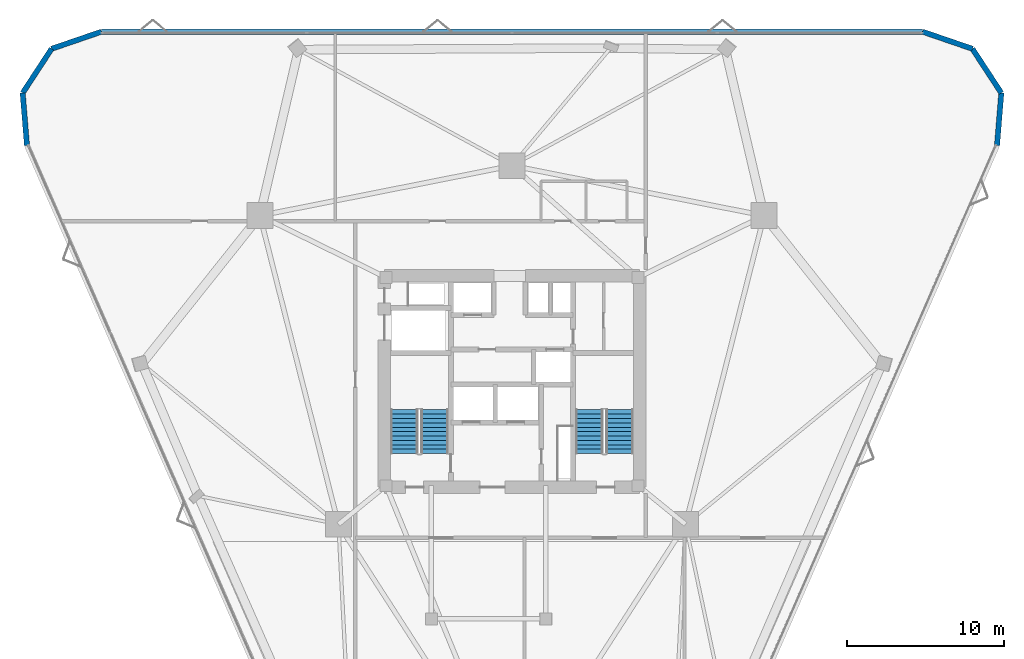
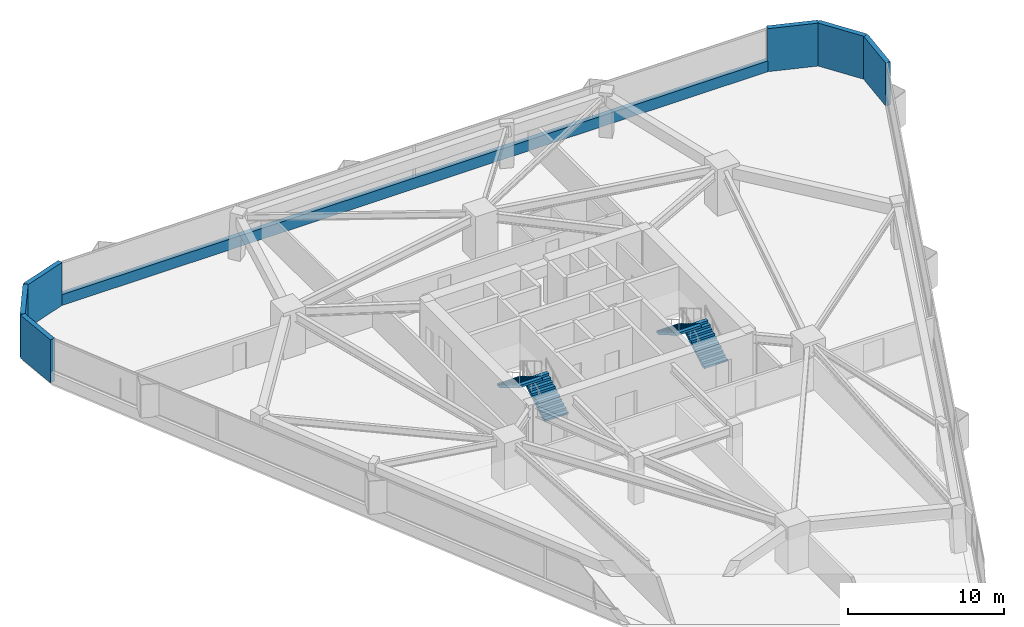
# One storey, part 16 of 18: 7 walls, 4 stair flights, 2 elements without a shape of their own.
"""IFC4 building model written with IfcOpenShell, lengths in metres."""

import ifcopenshell
import ifcopenshell.guid

model = None  # the IFC model being written
_history = None  # IfcOwnerHistory: only IFC2X3 demands one
_inside = {}  # id of a spatial element -> (the spatial element, [elements in it])
_under = {}  # id of a project, library or spatial element -> (it, [spatial elements below it])
_declared = {}  # id of a project -> (the project, [libraries it declares])
_typed = {}  # id of a type object -> (the type object, [elements of that type])
_made_of = {}  # id of a material, layer set ... -> (it, [elements and type objects made of it])


def new_model(schema):
    """Start an empty IFC model of exactly this schema.

    Asked for "IFC4X3", IfcOpenShell would pick the latest addendum, in which some entities
    have other attributes; the version numbers below select the first issue.
    IFC2X3 requires an IfcOwnerHistory on every rooted entity: one is made here for all.
    """
    global model, _history
    if schema == "IFC4X3":
        model = ifcopenshell.file(schema_version=(4, 3, 0, 0))
    else:
        model = ifcopenshell.file(schema=schema)
    _inside.clear()
    _under.clear()
    _declared.clear()
    _typed.clear()
    _made_of.clear()
    _history = None
    if model.schema == "IFC2X3":
        org = make("IfcOrganization", Name="unknown")
        user = make(
            "IfcPersonAndOrganization",
            ThePerson=make("IfcPerson", FamilyName="unknown"),
            TheOrganization=org,
        )
        app = make(
            "IfcApplication",
            ApplicationDeveloper=org,
            Version="unknown",
            ApplicationFullName="unknown",
            ApplicationIdentifier="unknown",
        )
        _history = make(
            "IfcOwnerHistory",
            OwningUser=user,
            OwningApplication=app,
            ChangeAction="ADDED",
            CreationDate=0,
        )
    return model


def make(cls, **values):
    """One entity of the class cls with the attributes given. An attribute that is None is left unset."""
    return model.create_entity(
        cls, **{name: value for name, value in values.items() if value is not None}
    )


def rooted(cls, **values):
    """An entity with a GlobalId (a new one), such as an element, a storey or a relation."""
    return make(cls, GlobalId=ifcopenshell.guid.new(), OwnerHistory=_history, **values)


def si_unit(unit_type, name, prefix=None):
    """IfcSIUnit, for example si_unit("LENGTHUNIT", "METRE", prefix="MILLI")."""
    return make("IfcSIUnit", UnitType=unit_type, Prefix=prefix, Name=name)


def assignment(units):
    """IfcUnitAssignment: the units of a project."""
    return None if units is None else make("IfcUnitAssignment", Units=units)


def point(xyz):
    """IfcCartesianPoint."""
    return None if xyz is None else make("IfcCartesianPoint", Coordinates=xyz)


def direction(xyz):
    """IfcDirection."""
    return None if xyz is None else make("IfcDirection", DirectionRatios=xyz)


def frame(location, z_axis=None, x_axis=None):
    """IfcAxis2Placement3D, a coordinate frame: its origin and axes. An axis left out is left unset."""
    return make(
        "IfcAxis2Placement3D",
        Location=point(location),
        Axis=direction(z_axis),
        RefDirection=direction(x_axis),
    )


def frame_2d(location, x_axis=None):
    """IfcAxis2Placement2D, a coordinate frame in the plane: its origin and x axis."""
    return make(
        "IfcAxis2Placement2D", Location=point(location), RefDirection=direction(x_axis)
    )


def origin():
    """The frame at (0, 0, 0) with its axes left unset."""
    return frame((0.0, 0.0, 0.0))


def place(relative_to, where):
    """IfcLocalPlacement: puts the frame where relative to a parent placement (None: the world)."""
    return make(
        "IfcLocalPlacement", PlacementRelTo=relative_to, RelativePlacement=where
    )


def context(
    kind, dimensions, precision=None, world=None, true_north=None, identifier=None
):
    """IfcGeometricRepresentationContext, for example the 3D "Model" context."""
    return make(
        "IfcGeometricRepresentationContext",
        ContextIdentifier=identifier,
        ContextType=kind,
        CoordinateSpaceDimension=dimensions,
        Precision=precision,
        WorldCoordinateSystem=world,
        TrueNorth=true_north,
    )


def subcontext(parent, identifier, kind, view, scale=None):
    """IfcGeometricRepresentationSubContext, for example "Body" below "Model"."""
    return make(
        "IfcGeometricRepresentationSubContext",
        ContextIdentifier=identifier,
        ContextType=kind,
        ParentContext=parent,
        TargetScale=scale,
        TargetView=view,
    )


def project(units=None, contexts=None):
    """IfcProject with its units and contexts."""
    return rooted(
        "IfcProject",
        Name="project",
        RepresentationContexts=contexts,
        UnitsInContext=assignment(units),
    )


def spatial(cls, under=None, at=None, **own):
    """A site, building, storey or space (cls), placed at a placement, below another one or the project."""
    s = rooted(cls, ObjectPlacement=at, **own)
    if under is not None:
        _under.setdefault(under.id(), (under, []))[1].append(s)
    return s


def polyline(points):
    """IfcPolyline through the points."""
    return make("IfcPolyline", Points=[point(p) for p in points])


def profile(cls, at=None, kind="AREA", **sizes):
    """A parametric profile (cls). Its sizes go by their IFC names, for example OverallWidth=200.0."""
    return make(cls, ProfileType=kind, Position=at, **sizes)


def rectangle(**sizes):
    """IfcRectangleProfileDef."""
    return profile("IfcRectangleProfileDef", **sizes)


def outline(outer, holes=None, kind="AREA"):
    """IfcArbitraryClosedProfileDef: a profile drawn as a closed curve; with holes, ...WithVoids."""
    if holes is None:
        return make("IfcArbitraryClosedProfileDef", ProfileType=kind, OuterCurve=outer)
    return make(
        "IfcArbitraryProfileDefWithVoids",
        ProfileType=kind,
        OuterCurve=outer,
        InnerCurves=holes,
    )


def extrude(swept, where, along, depth):
    """IfcExtrudedAreaSolid: the profile swept, set in the frame where, extruded along a direction by depth."""
    return make(
        "IfcExtrudedAreaSolid",
        SweptArea=swept,
        Position=where,
        ExtrudedDirection=direction(along),
        Depth=depth,
    )


def shape(context_of_items, identifier, shape_type, items):
    """IfcShapeRepresentation: the items that make up one representation, for example the "Body"."""
    return make(
        "IfcShapeRepresentation",
        ContextOfItems=context_of_items,
        RepresentationIdentifier=identifier,
        RepresentationType=shape_type,
        Items=items,
    )


def material(Name=None, Category=None):
    """IfcMaterial."""
    return make("IfcMaterial", Name=Name, Category=Category)


def layer(
    of_material, thickness, ventilated=None, Name=None, Category=None, Priority=None
):
    """IfcMaterialLayer: one layer of a wall or slab, of a material (None: an air gap)."""
    return make(
        "IfcMaterialLayer",
        Material=of_material,
        LayerThickness=thickness,
        IsVentilated=ventilated,
        Name=Name,
        Category=Category,
        Priority=Priority,
    )


def layer_set(layers, Name=None):
    """IfcMaterialLayerSet."""
    return make("IfcMaterialLayerSet", MaterialLayers=layers, LayerSetName=Name)


def made_of(thing, what):
    """Note that an element or type object is made of a material, layer set ...; save() writes the relation."""
    if what is not None:
        _made_of.setdefault(what.id(), (what, []))[1].append(thing)
    return thing


def type_object(cls, material=None, **own):
    """A type object (cls), such as IfcWallType, which elements share."""
    return made_of(rooted(cls, **own), material)


def element(
    cls,
    number,
    at=None,
    inside=None,
    cuts=None,
    type_object=None,
    material=None,
    context=None,
    identifier="Body",
    shape_type=None,
    held_by="IfcProductDefinitionShape",
    body=None,
    shapes=None,
    **own,
):
    """One element of the class cls, such as IfcWall. Its Tag is "e" and its number.

    at: its placement. inside: the storey or other place that contains it. cuts: it is an
    opening in that element (IfcRelVoidsElement). A single representation is given by context,
    identifier, shape_type and body (its items); several are given by shapes. held_by: the class
    of the entity that holds the representations. save() writes the other relations.
    """
    e = rooted(cls, Tag="e%d" % number, ObjectPlacement=at, **own)
    if body is not None:
        shapes = [shape(context, identifier, shape_type, body)]
    if shapes is not None:
        e.Representation = make(held_by, Representations=shapes)
    if inside is not None:
        _inside.setdefault(inside.id(), (inside, []))[1].append(e)
    if cuts is not None:
        rooted(
            "IfcRelVoidsElement", RelatingBuildingElement=cuts, RelatedOpeningElement=e
        )
    if type_object is not None:
        _typed.setdefault(type_object.id(), (type_object, []))[1].append(e)
    return made_of(e, material)


def aggregate(whole, parts):
    """IfcRelAggregates: a whole, such as a stair, and the parts it consists of."""
    return rooted("IfcRelAggregates", RelatingObject=whole, RelatedObjects=parts)


def save(model, path):
    """Write the relations noted so far, then the file.

    IfcRelAggregates (storeys below a building ...), IfcRelContainedInSpatialStructure (elements
    in a storey), IfcRelDefinesByType, IfcRelAssociatesMaterial and IfcRelDeclares: one each for
    every whole, place, type object, material and project.
    """
    for whole, parts in _under.values():
        aggregate(whole, parts)
    for where, things in _inside.values():
        rooted(
            "IfcRelContainedInSpatialStructure",
            RelatedElements=things,
            RelatingStructure=where,
        )
    for kind, things in _typed.values():
        rooted("IfcRelDefinesByType", RelatedObjects=things, RelatingType=kind)
    for what, things in _made_of.values():
        rooted("IfcRelAssociatesMaterial", RelatedObjects=things, RelatingMaterial=what)
    for by, libraries in _declared.values():
        rooted("IfcRelDeclares", RelatingContext=by, RelatedDefinitions=libraries)
    model.write(path)


model = new_model("IFC4")

# Units and contexts
model_context = context("Model", 3, precision=1e-05, world=origin(), true_north=direction((0.0, 1.0)))
body_context = subcontext(model_context, "Body", "Model", "MODEL_VIEW")
ifc_project = project(units=[si_unit("LENGTHUNIT", "METRE"), si_unit("AREAUNIT", "SQUARE_METRE"), si_unit("VOLUMEUNIT", "CUBIC_METRE"), si_unit("PLANEANGLEUNIT", "RADIAN"), si_unit("MASSUNIT", "GRAM", prefix="KILO")], contexts=[model_context])

# Site, building, storey
site_placement = place(None, origin())
site = spatial("IfcSite", under=ifc_project, at=site_placement, CompositionType="ELEMENT")
building_placement = place(site_placement, origin())
building = spatial("IfcBuilding", under=site, at=building_placement, Name="Talyreon Biosciences Tower", CompositionType="ELEMENT")
storey_placement = place(building_placement, frame((0.0, 0.0, 89.60009765625)))
storey = spatial("IfcBuildingStorey", under=building, at=storey_placement, Name="L23", CompositionType="ELEMENT", Elevation=89.60009765625)

# Walls
ifc_material_1 = material(Name="Precast concrete C45/55", Category="concrete")
ifc_layer = layer(ifc_material_1, 0.340087890625)
ifc_layer_set = layer_set([ifc_layer], Name="Precast concrete C45/55")
wall_type = type_object("IfcWallType", Name="PrecastConcreteSpandrelWall_340", PredefinedType="STANDARD", material=ifc_layer_set)
wall_1_placement = place(storey_placement, frame((35.01611328125, 83.070556640625, 0.0), z_axis=(0.0, 0.0, 1.0), x_axis=(-0.08153066917, 0.996670833317, 0.0)))
element("IfcWall", 1, at=wall_1_placement, inside=storey, type_object=wall_type, Name="L23 Rounded-Corner Concrete Pier 01", PredefinedType="STANDARD", context=body_context, shape_type="SweptSolid", body=[
    extrude(rectangle(XDim=3.374755859375, YDim=0.340087890625, at=frame_2d((1.6875, 0.0))), origin(), (0.0, 0.0, 1.0), 3.375),
])
wall_2_placement = place(storey_placement, frame((34.740966796875, 86.43408203125, 0.0), z_axis=(0.0, 0.0, 1.0), x_axis=(0.547467638162, 0.83682685495, 0.0)))
element("IfcWall", 2, at=wall_2_placement, inside=storey, type_object=wall_type, Name="L23 Rounded-Corner Concrete Pier 02", PredefinedType="STANDARD", context=body_context, shape_type="SweptSolid", body=[
    extrude(rectangle(XDim=3.375, YDim=0.340087890625, at=frame_2d((1.6875, 0.0))), origin(), (0.0, 0.0, 1.0), 3.375),
])
wall_3_placement = place(storey_placement, frame((36.588623046875, 89.25830078125, 0.0), z_axis=(0.0, 0.0, 1.0), x_axis=(0.945876171039, 0.324527763157, 0.0)))
element("IfcWall", 3, at=wall_3_placement, inside=storey, type_object=wall_type, Name="L23 Rounded-Corner Concrete Pier 03", PredefinedType="STANDARD", context=body_context, shape_type="SweptSolid", body=[
    extrude(rectangle(XDim=3.374755859375, YDim=0.340087890625, at=frame_2d((1.6875, 0.0))), origin(), (0.0, 0.0, 1.0), 3.375),
])
wall_4_placement = place(storey_placement, frame((39.78076171875, 90.353515625, 0.0), z_axis=(0.0, 0.0, 1.0), x_axis=(1.0, 0.0, 0.0)))
element("IfcWall", 4, at=wall_4_placement, inside=storey, type_object=wall_type, Name="L23 Expressed Concrete Sill Wall 04", PredefinedType="STANDARD", context=body_context, shape_type="SweptSolid", body=[
    extrude(rectangle(XDim=52.4384765625, YDim=0.340087890625, at=frame_2d((26.21923828125, 0.0))), origin(), (0.0, 0.0, 1.0), 0.849853515625),
])
wall_5_placement = place(storey_placement, frame((92.21923828125, 90.353515625, 0.0), z_axis=(0.0, 0.0, 1.0), x_axis=(0.945876171039, -0.324527763157, 0.0)))
element("IfcWall", 5, at=wall_5_placement, inside=storey, type_object=wall_type, Name="L23 Rounded-Corner Concrete Pier 05", PredefinedType="STANDARD", context=body_context, shape_type="SweptSolid", body=[
    extrude(rectangle(XDim=3.374755859375, YDim=0.340087890625, at=frame_2d((1.6875, 0.0))), origin(), (0.0, 0.0, 1.0), 3.375),
])
wall_6_placement = place(storey_placement, frame((95.411376953125, 89.25830078125, 0.0), z_axis=(0.0, 0.0, 1.0), x_axis=(0.547467638162, -0.83682685495, 0.0)))
element("IfcWall", 6, at=wall_6_placement, inside=storey, type_object=wall_type, Name="L23 Rounded-Corner Concrete Pier 06", PredefinedType="STANDARD", context=body_context, shape_type="SweptSolid", body=[
    extrude(rectangle(XDim=3.375, YDim=0.340087890625, at=frame_2d((1.6875, 0.0))), origin(), (0.0, 0.0, 1.0), 3.375),
])
wall_7_placement = place(storey_placement, frame((97.259033203125, 86.43408203125, 0.0), z_axis=(0.0, 0.0, 1.0), x_axis=(-0.08153066917, -0.996670833317, 0.0)))
element("IfcWall", 7, at=wall_7_placement, inside=storey, type_object=wall_type, Name="L23 Rounded-Corner Concrete Pier 07", PredefinedType="STANDARD", context=body_context, shape_type="SweptSolid", body=[
    extrude(rectangle(XDim=3.374755859375, YDim=0.340087890625, at=frame_2d((1.6875, 0.0))), origin(), (0.0, 0.0, 1.0), 3.375),
])

# Stair, stair flights
ifc_material_2 = material(Name="Concrete C40/50", Category="concrete")
stair_type = type_object("IfcStairType", Name="DoglegEscapeStair_3650", PredefinedType="HALF_TURN_STAIR", material=ifc_material_2)
stair_1_placement = place(storey_placement, origin())
stair_1 = element("IfcStair", 8, at=stair_1_placement, inside=storey, type_object=stair_type, Name="L23 Core Escape Stair 1", PredefinedType="HALF_TURN_STAIR")
stair_flight_type = type_object("IfcStairFlightType", Name="PrecastStairFlight_3650", PredefinedType="STRAIGHT", material=ifc_material_2)
stair_flight_1_placement = place(storey_placement, frame((61.06005859375, 63.39990234375, 0.0), z_axis=(0.0, 0.0, 1.0), x_axis=(0.0, 1.0, 0.0)))
stair_flight_1 = element("IfcStairFlight", 9, at=stair_flight_1_placement, type_object=stair_flight_type, Name="ST-1 flight 1", NumberOfRisers=11, NumberOfTreads=10, PredefinedType="STRAIGHT", RiserHeight=0.165909091, TreadLength=0.28, context=body_context, shape_type="SweptSolid", body=[
    extrude(outline(polyline([(0.0, 0.0), (0.0, 0.166015625), (0.280029296875, 0.166015625), (0.280029296875, 0.331787109375), (0.56005859375, 0.331787109375), (0.56005859375, 0.497802734375), (0.840087890625, 0.497802734375), (0.840087890625, 0.66357421875), (1.1201171875, 0.66357421875), (1.1201171875, 0.82958984375), (1.39990234375, 0.82958984375), (1.39990234375, 0.995361328125), (1.679931640625, 0.995361328125), (1.679931640625, 1.161376953125), (1.9599609375, 1.161376953125), (1.9599609375, 1.327392578125), (2.239990234375, 1.327392578125), (2.239990234375, 1.4931640625), (2.52001953125, 1.4931640625), (2.52001953125, 1.6591796875), (2.800048828125, 1.6591796875), (2.800048828125, 1.824951171875), (2.800048828125, 1.48486328125), (0.2939453125, 0.0), (0.0, 0.0)])), frame((0.0, 0.8701171875, 0.0), z_axis=(0.0, -1.0, 0.0), x_axis=(1.0, 0.0, 0.0)), (0.0, 0.0, 1.0), 1.739990234375),
])
stair_flight_2_placement = place(storey_placement, frame((59.1201171875, 66.199951171875, 1.824951171875), z_axis=(0.0, 0.0, 1.0), x_axis=(0.0, -1.0, 0.0)))
stair_flight_2 = element("IfcStairFlight", 10, at=stair_flight_2_placement, type_object=stair_flight_type, Name="ST-1 flight 2", NumberOfRisers=11, NumberOfTreads=10, PredefinedType="STRAIGHT", RiserHeight=0.165909091, TreadLength=0.28, context=body_context, shape_type="SweptSolid", body=[
    extrude(outline(polyline([(0.0, 0.0), (0.0, 0.166015625), (0.280029296875, 0.166015625), (0.280029296875, 0.331787109375), (0.56005859375, 0.331787109375), (0.56005859375, 0.497802734375), (0.840087890625, 0.497802734375), (0.840087890625, 0.66357421875), (1.1201171875, 0.66357421875), (1.1201171875, 0.82958984375), (1.39990234375, 0.82958984375), (1.39990234375, 0.995361328125), (1.679931640625, 0.995361328125), (1.679931640625, 1.161376953125), (1.9599609375, 1.161376953125), (1.9599609375, 1.327392578125), (2.239990234375, 1.327392578125), (2.239990234375, 1.4931640625), (2.52001953125, 1.4931640625), (2.52001953125, 1.6591796875), (2.800048828125, 1.6591796875), (2.800048828125, 1.824951171875), (2.800048828125, 1.48486328125), (0.2939453125, 0.0), (0.0, 0.0)])), frame((0.0, 0.8701171875, 0.0), z_axis=(0.0, -1.0, 0.0), x_axis=(1.0, 0.0, 0.0)), (0.0, 0.0, 1.0), 1.739990234375),
])
aggregate(stair_1, [stair_flight_1, stair_flight_2])

stair_2_placement = place(storey_placement, origin())
stair_2 = element("IfcStair", 11, at=stair_2_placement, inside=storey, type_object=stair_type, Name="L23 Core Escape Stair 2", PredefinedType="HALF_TURN_STAIR")
stair_flight_3_placement = place(storey_placement, frame((72.8798828125, 63.39990234375, 0.0), z_axis=(0.0, 0.0, 1.0), x_axis=(0.0, 1.0, 0.0)))
stair_flight_3 = element("IfcStairFlight", 12, at=stair_flight_3_placement, type_object=stair_flight_type, Name="ST-2 flight 1", NumberOfRisers=11, NumberOfTreads=10, PredefinedType="STRAIGHT", RiserHeight=0.165909091, TreadLength=0.28, context=body_context, shape_type="SweptSolid", body=[
    extrude(outline(polyline([(0.0, 0.0), (0.0, 0.166015625), (0.280029296875, 0.166015625), (0.280029296875, 0.331787109375), (0.56005859375, 0.331787109375), (0.56005859375, 0.497802734375), (0.840087890625, 0.497802734375), (0.840087890625, 0.66357421875), (1.1201171875, 0.66357421875), (1.1201171875, 0.82958984375), (1.39990234375, 0.82958984375), (1.39990234375, 0.995361328125), (1.679931640625, 0.995361328125), (1.679931640625, 1.161376953125), (1.9599609375, 1.161376953125), (1.9599609375, 1.327392578125), (2.239990234375, 1.327392578125), (2.239990234375, 1.4931640625), (2.52001953125, 1.4931640625), (2.52001953125, 1.6591796875), (2.800048828125, 1.6591796875), (2.800048828125, 1.824951171875), (2.800048828125, 1.48486328125), (0.2939453125, 0.0), (0.0, 0.0)])), frame((0.0, 0.8701171875, 0.0), z_axis=(0.0, -1.0, 0.0), x_axis=(1.0, 0.0, 0.0)), (0.0, 0.0, 1.0), 1.739990234375),
])
stair_flight_4_placement = place(storey_placement, frame((70.93994140625, 66.199951171875, 1.824951171875), z_axis=(0.0, 0.0, 1.0), x_axis=(0.0, -1.0, 0.0)))
stair_flight_4 = element("IfcStairFlight", 13, at=stair_flight_4_placement, type_object=stair_flight_type, Name="ST-2 flight 2", NumberOfRisers=11, NumberOfTreads=10, PredefinedType="STRAIGHT", RiserHeight=0.165909091, TreadLength=0.28, context=body_context, shape_type="SweptSolid", body=[
    extrude(outline(polyline([(0.0, 0.0), (0.0, 0.166015625), (0.280029296875, 0.166015625), (0.280029296875, 0.331787109375), (0.56005859375, 0.331787109375), (0.56005859375, 0.497802734375), (0.840087890625, 0.497802734375), (0.840087890625, 0.66357421875), (1.1201171875, 0.66357421875), (1.1201171875, 0.82958984375), (1.39990234375, 0.82958984375), (1.39990234375, 0.995361328125), (1.679931640625, 0.995361328125), (1.679931640625, 1.161376953125), (1.9599609375, 1.161376953125), (1.9599609375, 1.327392578125), (2.239990234375, 1.327392578125), (2.239990234375, 1.4931640625), (2.52001953125, 1.4931640625), (2.52001953125, 1.6591796875), (2.800048828125, 1.6591796875), (2.800048828125, 1.824951171875), (2.800048828125, 1.48486328125), (0.2939453125, 0.0), (0.0, 0.0)])), frame((0.0, 0.8701171875, 0.0), z_axis=(0.0, -1.0, 0.0), x_axis=(1.0, 0.0, 0.0)), (0.0, 0.0, 1.0), 1.739990234375),
])
aggregate(stair_2, [stair_flight_3, stair_flight_4])

save(model, "model.ifc")
